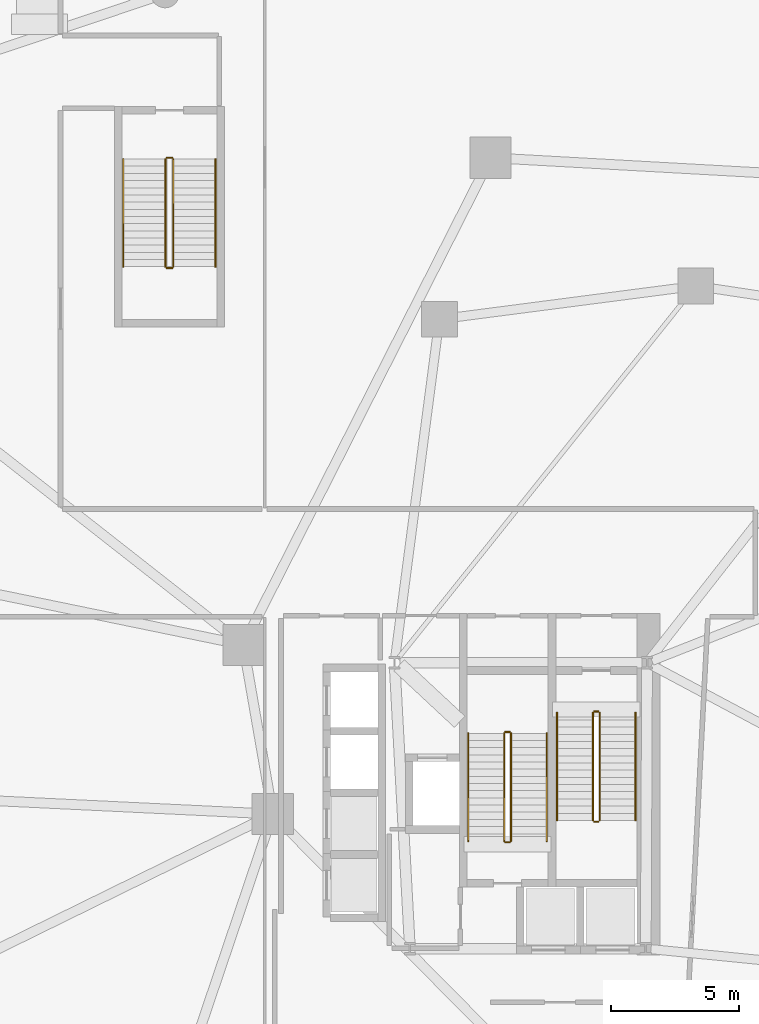
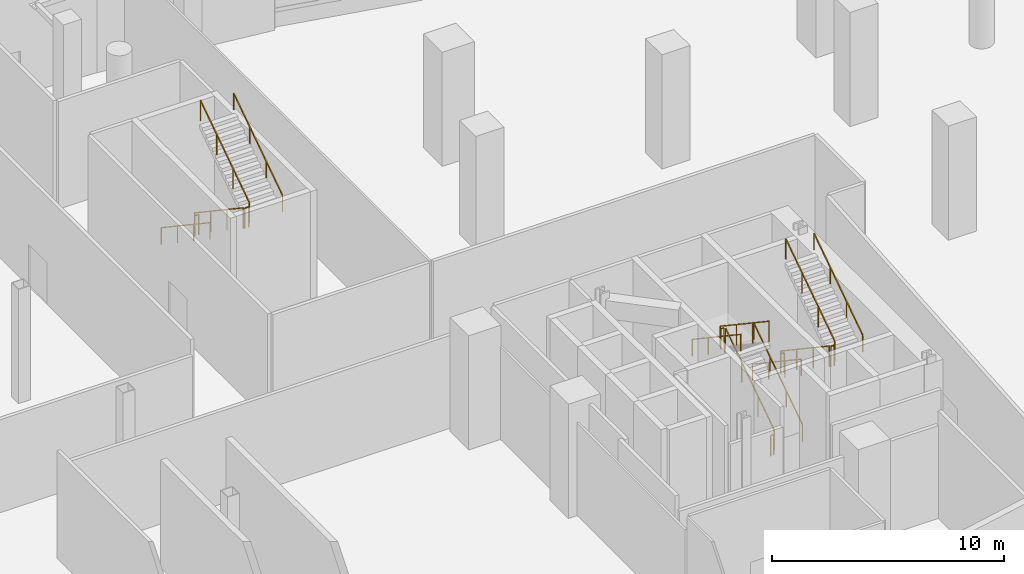
# One storey, part 19 of 20: 18 railings.
"""IFC4 building model written with IfcOpenShell, lengths in metres."""

from ifc_helpers import new_model, si_unit, direction, frame, origin, origin_2d, place, context, subcontext, project, spatial, rectangle, extrude, material, type_object, element, save


model = new_model("IFC4")

# Units and contexts
model_context = context("Model", 3, precision=1e-05, world=origin(), true_north=direction((0.0, 1.0)))
body_context = subcontext(model_context, "Body", "Model", "MODEL_VIEW")
ifc_project = project(units=[si_unit("LENGTHUNIT", "METRE"), si_unit("AREAUNIT", "SQUARE_METRE"), si_unit("VOLUMEUNIT", "CUBIC_METRE"), si_unit("PLANEANGLEUNIT", "RADIAN"), si_unit("MASSUNIT", "GRAM", prefix="KILO"), si_unit("THERMODYNAMICTEMPERATUREUNIT", "KELVIN"), si_unit("POWERUNIT", "WATT")], contexts=[model_context])

# Site, building, storey
site_placement = place(None, origin())
site = spatial("IfcSite", under=ifc_project, at=site_placement, CompositionType="ELEMENT")
building_placement = place(site_placement, origin())
building = spatial("IfcBuilding", under=site, at=building_placement, Name="Cundina Bronze Exchange", CompositionType="ELEMENT")
storey_placement = place(building_placement, origin())
storey = spatial("IfcBuildingStorey", under=building, at=storey_placement, Name="L00", CompositionType="ELEMENT", Elevation=0.0)

# Railings
ifc_material = material(Name="Steel ASTM A36 Painted", Category="steel")
railing_type_1 = type_object("IfcRailingType", Name="RLG-HND-900", PredefinedType="HANDRAIL", material=ifc_material)
railing_1_placement = place(storey_placement, frame((27.7900390625, -5.85009765625, 0.1875)))
element("IfcRailing", 1, at=railing_1_placement, inside=storey, type_object=railing_type_1, Name="L00 ST-E1 stair handrail 1", PredefinedType="HANDRAIL", context=body_context, shape_type="SweptSolid", body=[
    extrude(rectangle(XDim=0.048095703125, YDim=0.048095703125, at=origin_2d()), frame((0.0, 0.0, 0.8759765625), z_axis=(0.0, -0.830904186295, 0.556415522067), x_axis=(1.0, 0.0, 0.0)), (0.0, 0.0, 1.0), 5.0546875),
    extrude(rectangle(XDim=0.0419921875, YDim=0.0419921875, at=origin_2d()), origin(), (0.0, 0.0, 1.0), 0.851806640625),
    extrude(rectangle(XDim=0.0419921875, YDim=0.0419921875, at=origin_2d()), frame((0.0, -1.39990234375, 0.9375)), (0.0, 0.0, 1.0), 0.851806640625),
    extrude(rectangle(XDim=0.0419921875, YDim=0.0419921875, at=origin_2d()), frame((0.0, -2.800048828125, 1.875)), (0.0, 0.0, 1.0), 0.851806640625),
    extrude(rectangle(XDim=0.0419921875, YDim=0.0419921875, at=origin_2d()), frame((0.0, -4.199951171875, 2.8125)), (0.0, 0.0, 1.0), 0.851806640625),
])
railing_2_placement = place(storey_placement, frame((30.85009765625, -10.050048828125, 3.1875)))
element("IfcRailing", 2, at=railing_2_placement, inside=storey, type_object=railing_type_1, Name="L00 ST-E1 stair handrail 2", PredefinedType="HANDRAIL", context=body_context, shape_type="SweptSolid", body=[
    extrude(rectangle(XDim=0.048095703125, YDim=0.048095703125, at=origin_2d()), frame((0.0, 0.0, 0.8759765625), z_axis=(0.0, 0.830904186295, 0.556415522067), x_axis=(-1.0, 0.0, 0.0)), (0.0, 0.0, 1.0), 5.0546875),
    extrude(rectangle(XDim=0.0419921875, YDim=0.0419921875, at=origin_2d()), origin(), (0.0, 0.0, 1.0), 0.851806640625),
    extrude(rectangle(XDim=0.0419921875, YDim=0.0419921875, at=origin_2d()), frame((0.0, 1.39990234375, 0.9375)), (0.0, 0.0, 1.0), 0.851806640625),
    extrude(rectangle(XDim=0.0419921875, YDim=0.0419921875, at=origin_2d()), frame((0.0, 2.800048828125, 1.875)), (0.0, 0.0, 1.0), 0.851806640625),
    extrude(rectangle(XDim=0.0419921875, YDim=0.0419921875, at=origin_2d()), frame((0.0, 4.199951171875, 2.8125)), (0.0, 0.0, 1.0), 0.851806640625),
])
railing_3_placement = place(storey_placement, frame((27.389892578125, -10.85009765625, 0.1875)))
element("IfcRailing", 3, at=railing_3_placement, inside=storey, type_object=railing_type_1, Name="L00 ST-E2 stair handrail 1", PredefinedType="HANDRAIL", context=body_context, shape_type="SweptSolid", body=[
    extrude(rectangle(XDim=0.048095703125, YDim=0.048095703125, at=origin_2d()), frame((0.0, 0.0, 0.8759765625), z_axis=(0.0, 0.830919138977, 0.55639319234), x_axis=(-1.0, 0.0, 0.0)), (0.0, 0.0, 1.0), 5.054931640625),
    extrude(rectangle(XDim=0.0419921875, YDim=0.0419921875, at=origin_2d()), origin(), (0.0, 0.0, 1.0), 0.851806640625),
    extrude(rectangle(XDim=0.0419921875, YDim=0.0419921875, at=origin_2d()), frame((0.0, 1.400146484375, 0.9375)), (0.0, 0.0, 1.0), 0.851806640625),
    extrude(rectangle(XDim=0.0419921875, YDim=0.0419921875, at=origin_2d()), frame((0.0, 2.800048828125, 1.875)), (0.0, 0.0, 1.0), 0.851806640625),
    extrude(rectangle(XDim=0.0419921875, YDim=0.0419921875, at=origin_2d()), frame((0.0, 4.2001953125, 2.8125)), (0.0, 0.0, 1.0), 0.851806640625),
])
railing_4_placement = place(storey_placement, frame((24.330078125, -6.64990234375, 3.1875)))
element("IfcRailing", 4, at=railing_4_placement, inside=storey, type_object=railing_type_1, Name="L00 ST-E2 stair handrail 2", PredefinedType="HANDRAIL", context=body_context, shape_type="SweptSolid", body=[
    extrude(rectangle(XDim=0.048095703125, YDim=0.048095703125, at=origin_2d()), frame((0.0, 0.0, 0.8759765625), z_axis=(0.0, -0.830919138977, 0.55639319234), x_axis=(1.0, 0.0, 0.0)), (0.0, 0.0, 1.0), 5.054931640625),
    extrude(rectangle(XDim=0.0419921875, YDim=0.0419921875, at=origin_2d()), origin(), (0.0, 0.0, 1.0), 0.851806640625),
    extrude(rectangle(XDim=0.0419921875, YDim=0.0419921875, at=origin_2d()), frame((0.0, -1.400146484375, 0.9375)), (0.0, 0.0, 1.0), 0.851806640625),
    extrude(rectangle(XDim=0.0419921875, YDim=0.0419921875, at=origin_2d()), frame((0.0, -2.800048828125, 1.875)), (0.0, 0.0, 1.0), 0.851806640625),
    extrude(rectangle(XDim=0.0419921875, YDim=0.0419921875, at=origin_2d()), frame((0.0, -4.2001953125, 2.8125)), (0.0, 0.0, 1.0), 0.851806640625),
])
railing_5_placement = place(storey_placement, frame((10.8701171875, 15.75, 0.1875)))
element("IfcRailing", 5, at=railing_5_placement, inside=storey, type_object=railing_type_1, Name="L00 ST-PE stair handrail 1", PredefinedType="HANDRAIL", context=body_context, shape_type="SweptSolid", body=[
    extrude(rectangle(XDim=0.048095703125, YDim=0.048095703125, at=origin_2d()), frame((0.0, 0.0, 0.8759765625), z_axis=(0.0, -0.830904186295, 0.556415522067), x_axis=(1.0, 0.0, 0.0)), (0.0, 0.0, 1.0), 5.0546875),
    extrude(rectangle(XDim=0.0419921875, YDim=0.0419921875, at=origin_2d()), origin(), (0.0, 0.0, 1.0), 0.851806640625),
    extrude(rectangle(XDim=0.0419921875, YDim=0.0419921875, at=origin_2d()), frame((0.0, -1.39990234375, 0.9375)), (0.0, 0.0, 1.0), 0.851806640625),
    extrude(rectangle(XDim=0.0419921875, YDim=0.0419921875, at=origin_2d()), frame((0.0, -2.800048828125, 1.875)), (0.0, 0.0, 1.0), 0.851806640625),
    extrude(rectangle(XDim=0.0419921875, YDim=0.0419921875, at=origin_2d()), frame((0.0, -4.199951171875, 2.8125)), (0.0, 0.0, 1.0), 0.851806640625),
])
railing_6_placement = place(storey_placement, frame((14.469970703125, 11.550048828125, 3.1875)))
element("IfcRailing", 6, at=railing_6_placement, inside=storey, type_object=railing_type_1, Name="L00 ST-PE stair handrail 2", PredefinedType="HANDRAIL", context=body_context, shape_type="SweptSolid", body=[
    extrude(rectangle(XDim=0.048095703125, YDim=0.048095703125, at=origin_2d()), frame((0.0, 0.0, 0.8759765625), z_axis=(0.0, 0.830904186295, 0.556415522067), x_axis=(-1.0, 0.0, 0.0)), (0.0, 0.0, 1.0), 5.0546875),
    extrude(rectangle(XDim=0.0419921875, YDim=0.0419921875, at=origin_2d()), origin(), (0.0, 0.0, 1.0), 0.851806640625),
    extrude(rectangle(XDim=0.0419921875, YDim=0.0419921875, at=origin_2d()), frame((0.0, 1.39990234375, 0.9375)), (0.0, 0.0, 1.0), 0.851806640625),
    extrude(rectangle(XDim=0.0419921875, YDim=0.0419921875, at=origin_2d()), frame((0.0, 2.800048828125, 1.875)), (0.0, 0.0, 1.0), 0.851806640625),
    extrude(rectangle(XDim=0.0419921875, YDim=0.0419921875, at=origin_2d()), frame((0.0, 4.199951171875, 2.8125)), (0.0, 0.0, 1.0), 0.851806640625),
])
railing_type_2 = type_object("IfcRailingType", Name="RLG-STG-1100", PredefinedType="GUARDRAIL", material=ifc_material)
railing_7_placement = place(storey_placement, frame((29.18994140625, -5.85009765625, 0.1875)))
element("IfcRailing", 7, at=railing_7_placement, inside=storey, type_object=railing_type_2, Name="L00 ST-E1 stair guard 1", PredefinedType="GUARDRAIL", context=body_context, shape_type="SweptSolid", body=[
    extrude(rectangle(XDim=0.048095703125, YDim=0.048095703125, at=origin_2d()), frame((0.0, 0.0, 1.076171875), z_axis=(0.0, -0.830904186295, 0.556415522067), x_axis=(1.0, 0.0, 0.0)), (0.0, 0.0, 1.0), 5.0546875),
    extrude(rectangle(XDim=0.0419921875, YDim=0.0419921875, at=origin_2d()), origin(), (0.0, 0.0, 1.0), 1.052001953125),
    extrude(rectangle(XDim=0.0419921875, YDim=0.0419921875, at=origin_2d()), frame((0.0, -1.39990234375, 0.9375)), (0.0, 0.0, 1.0), 1.052001953125),
    extrude(rectangle(XDim=0.0419921875, YDim=0.0419921875, at=origin_2d()), frame((0.0, -2.800048828125, 1.875)), (0.0, 0.0, 1.0), 1.052001953125),
    extrude(rectangle(XDim=0.0419921875, YDim=0.0419921875, at=origin_2d()), frame((0.0, -4.199951171875, 2.8125)), (0.0, 0.0, 1.0), 1.052001953125),
])
railing_8_placement = place(storey_placement, frame((29.239990234375, -10.10009765625, 3.0)))
element("IfcRailing", 8, at=railing_8_placement, inside=storey, type_object=railing_type_2, Name="L00 ST-E1 stair guard 2", PredefinedType="GUARDRAIL", context=body_context, shape_type="SweptSolid", body=[
    extrude(rectangle(XDim=0.048095703125, YDim=0.048095703125, at=origin_2d()), frame((0.0, 0.0, 1.076171875), z_axis=(1.0, 0.0, 0.0), x_axis=(0.0, 1.0, 0.0)), (0.0, 0.0, 1.0), 0.159912109375),
    extrude(rectangle(XDim=0.0419921875, YDim=0.0419921875, at=origin_2d()), origin(), (0.0, 0.0, 1.0), 1.052001953125),
    extrude(rectangle(XDim=0.0419921875, YDim=0.0419921875, at=origin_2d()), frame((0.159912109375, 0.0, 0.0)), (0.0, 0.0, 1.0), 1.052001953125),
])
railing_9_placement = place(storey_placement, frame((29.449951171875, -10.050048828125, 3.1875)))
element("IfcRailing", 9, at=railing_9_placement, inside=storey, type_object=railing_type_2, Name="L00 ST-E1 stair guard 3", PredefinedType="GUARDRAIL", context=body_context, shape_type="SweptSolid", body=[
    extrude(rectangle(XDim=0.048095703125, YDim=0.048095703125, at=origin_2d()), frame((0.0, 0.0, 1.076171875), z_axis=(0.0, 0.830904186295, 0.556415522067), x_axis=(-1.0, 0.0, 0.0)), (0.0, 0.0, 1.0), 5.0546875),
    extrude(rectangle(XDim=0.0419921875, YDim=0.0419921875, at=origin_2d()), origin(), (0.0, 0.0, 1.0), 1.052001953125),
    extrude(rectangle(XDim=0.0419921875, YDim=0.0419921875, at=origin_2d()), frame((0.0, 1.39990234375, 0.9375)), (0.0, 0.0, 1.0), 1.052001953125),
    extrude(rectangle(XDim=0.0419921875, YDim=0.0419921875, at=origin_2d()), frame((0.0, 2.800048828125, 1.875)), (0.0, 0.0, 1.0), 1.052001953125),
    extrude(rectangle(XDim=0.0419921875, YDim=0.0419921875, at=origin_2d()), frame((0.0, 4.199951171875, 2.8125)), (0.0, 0.0, 1.0), 1.052001953125),
])
railing_10_placement = place(storey_placement, frame((29.239990234375, -5.800048828125, 0.0)))
element("IfcRailing", 10, at=railing_10_placement, inside=storey, type_object=railing_type_2, Name="L00 ST-E1 stair guard 4", PredefinedType="GUARDRAIL", context=body_context, shape_type="SweptSolid", body=[
    extrude(rectangle(XDim=0.048095703125, YDim=0.048095703125, at=origin_2d()), frame((0.0, 0.0, 1.076171875), z_axis=(1.0, 0.0, 0.0), x_axis=(0.0, 1.0, 0.0)), (0.0, 0.0, 1.0), 0.159912109375),
    extrude(rectangle(XDim=0.0419921875, YDim=0.0419921875, at=origin_2d()), origin(), (0.0, 0.0, 1.0), 1.052001953125),
    extrude(rectangle(XDim=0.0419921875, YDim=0.0419921875, at=origin_2d()), frame((0.159912109375, 0.0, 0.0)), (0.0, 0.0, 1.0), 1.052001953125),
])
railing_11_placement = place(storey_placement, frame((25.989990234375, -10.85009765625, 0.1875)))
element("IfcRailing", 11, at=railing_11_placement, inside=storey, type_object=railing_type_2, Name="L00 ST-E2 stair guard 1", PredefinedType="GUARDRAIL", context=body_context, shape_type="SweptSolid", body=[
    extrude(rectangle(XDim=0.048095703125, YDim=0.048095703125, at=origin_2d()), frame((0.0, 0.0, 1.076171875), z_axis=(0.0, 0.830919138977, 0.55639319234), x_axis=(-1.0, 0.0, 0.0)), (0.0, 0.0, 1.0), 5.054931640625),
    extrude(rectangle(XDim=0.0419921875, YDim=0.0419921875, at=origin_2d()), origin(), (0.0, 0.0, 1.0), 1.052001953125),
    extrude(rectangle(XDim=0.0419921875, YDim=0.0419921875, at=origin_2d()), frame((0.0, 1.400146484375, 0.9375)), (0.0, 0.0, 1.0), 1.052001953125),
    extrude(rectangle(XDim=0.0419921875, YDim=0.0419921875, at=origin_2d()), frame((0.0, 2.800048828125, 1.875)), (0.0, 0.0, 1.0), 1.052001953125),
    extrude(rectangle(XDim=0.0419921875, YDim=0.0419921875, at=origin_2d()), frame((0.0, 4.2001953125, 2.8125)), (0.0, 0.0, 1.0), 1.052001953125),
])
railing_12_placement = place(storey_placement, frame((25.93994140625, -6.60009765625, 3.0)))
element("IfcRailing", 12, at=railing_12_placement, inside=storey, type_object=railing_type_2, Name="L00 ST-E2 stair guard 2", PredefinedType="GUARDRAIL", context=body_context, shape_type="SweptSolid", body=[
    extrude(rectangle(XDim=0.048095703125, YDim=0.048095703125, at=origin_2d()), frame((0.0, 0.0, 1.076171875), z_axis=(-1.0, 0.0, 0.0), x_axis=(0.0, -1.0, 0.0)), (0.0, 0.0, 1.0), 0.159912109375),
    extrude(rectangle(XDim=0.0419921875, YDim=0.0419921875, at=origin_2d()), origin(), (0.0, 0.0, 1.0), 1.052001953125),
    extrude(rectangle(XDim=0.0419921875, YDim=0.0419921875, at=origin_2d()), frame((-0.159912109375, 0.0, 0.0)), (0.0, 0.0, 1.0), 1.052001953125),
])
railing_13_placement = place(storey_placement, frame((25.72998046875, -6.64990234375, 3.1875)))
element("IfcRailing", 13, at=railing_13_placement, inside=storey, type_object=railing_type_2, Name="L00 ST-E2 stair guard 3", PredefinedType="GUARDRAIL", context=body_context, shape_type="SweptSolid", body=[
    extrude(rectangle(XDim=0.048095703125, YDim=0.048095703125, at=origin_2d()), frame((0.0, 0.0, 1.076171875), z_axis=(0.0, -0.830919138977, 0.55639319234), x_axis=(1.0, 0.0, 0.0)), (0.0, 0.0, 1.0), 5.054931640625),
    extrude(rectangle(XDim=0.0419921875, YDim=0.0419921875, at=origin_2d()), origin(), (0.0, 0.0, 1.0), 1.052001953125),
    extrude(rectangle(XDim=0.0419921875, YDim=0.0419921875, at=origin_2d()), frame((0.0, -1.400146484375, 0.9375)), (0.0, 0.0, 1.0), 1.052001953125),
    extrude(rectangle(XDim=0.0419921875, YDim=0.0419921875, at=origin_2d()), frame((0.0, -2.800048828125, 1.875)), (0.0, 0.0, 1.0), 1.052001953125),
    extrude(rectangle(XDim=0.0419921875, YDim=0.0419921875, at=origin_2d()), frame((0.0, -4.2001953125, 2.8125)), (0.0, 0.0, 1.0), 1.052001953125),
])
railing_14_placement = place(storey_placement, frame((25.93994140625, -10.89990234375, 0.0)))
element("IfcRailing", 14, at=railing_14_placement, inside=storey, type_object=railing_type_2, Name="L00 ST-E2 stair guard 4", PredefinedType="GUARDRAIL", context=body_context, shape_type="SweptSolid", body=[
    extrude(rectangle(XDim=0.048095703125, YDim=0.048095703125, at=origin_2d()), frame((0.0, 0.0, 1.076171875), z_axis=(-1.0, 0.0, 0.0), x_axis=(0.0, -1.0, 0.0)), (0.0, 0.0, 1.0), 0.159912109375),
    extrude(rectangle(XDim=0.0419921875, YDim=0.0419921875, at=origin_2d()), origin(), (0.0, 0.0, 1.0), 1.052001953125),
    extrude(rectangle(XDim=0.0419921875, YDim=0.0419921875, at=origin_2d()), frame((-0.159912109375, 0.0, 0.0)), (0.0, 0.0, 1.0), 1.052001953125),
])
railing_15_placement = place(storey_placement, frame((12.52001953125, 15.75, 0.1875)))
element("IfcRailing", 15, at=railing_15_placement, inside=storey, type_object=railing_type_2, Name="L00 ST-PE stair guard 1", PredefinedType="GUARDRAIL", context=body_context, shape_type="SweptSolid", body=[
    extrude(rectangle(XDim=0.048095703125, YDim=0.048095703125, at=origin_2d()), frame((0.0, 0.0, 1.076171875), z_axis=(0.0, -0.830904186295, 0.556415522067), x_axis=(1.0, 0.0, 0.0)), (0.0, 0.0, 1.0), 5.0546875),
    extrude(rectangle(XDim=0.0419921875, YDim=0.0419921875, at=origin_2d()), origin(), (0.0, 0.0, 1.0), 1.052001953125),
    extrude(rectangle(XDim=0.0419921875, YDim=0.0419921875, at=origin_2d()), frame((0.0, -1.39990234375, 0.9375)), (0.0, 0.0, 1.0), 1.052001953125),
    extrude(rectangle(XDim=0.0419921875, YDim=0.0419921875, at=origin_2d()), frame((0.0, -2.800048828125, 1.875)), (0.0, 0.0, 1.0), 1.052001953125),
    extrude(rectangle(XDim=0.0419921875, YDim=0.0419921875, at=origin_2d()), frame((0.0, -4.199951171875, 2.8125)), (0.0, 0.0, 1.0), 1.052001953125),
])
railing_16_placement = place(storey_placement, frame((12.570068359375, 11.5, 3.0)))
element("IfcRailing", 16, at=railing_16_placement, inside=storey, type_object=railing_type_2, Name="L00 ST-PE stair guard 2", PredefinedType="GUARDRAIL", context=body_context, shape_type="SweptSolid", body=[
    extrude(rectangle(XDim=0.048095703125, YDim=0.048095703125, at=origin_2d()), frame((0.0, 0.0, 1.076171875), z_axis=(1.0, 0.0, 0.0), x_axis=(0.0, 1.0, 0.0)), (0.0, 0.0, 1.0), 0.199951171875),
    extrude(rectangle(XDim=0.0419921875, YDim=0.0419921875, at=origin_2d()), origin(), (0.0, 0.0, 1.0), 1.052001953125),
    extrude(rectangle(XDim=0.0419921875, YDim=0.0419921875, at=origin_2d()), frame((0.199951171875, 0.0, 0.0)), (0.0, 0.0, 1.0), 1.052001953125),
])
railing_17_placement = place(storey_placement, frame((12.820068359375, 11.550048828125, 3.1875)))
element("IfcRailing", 17, at=railing_17_placement, inside=storey, type_object=railing_type_2, Name="L00 ST-PE stair guard 3", PredefinedType="GUARDRAIL", context=body_context, shape_type="SweptSolid", body=[
    extrude(rectangle(XDim=0.048095703125, YDim=0.048095703125, at=origin_2d()), frame((0.0, 0.0, 1.076171875), z_axis=(0.0, 0.830904186295, 0.556415522067), x_axis=(-1.0, 0.0, 0.0)), (0.0, 0.0, 1.0), 5.0546875),
    extrude(rectangle(XDim=0.0419921875, YDim=0.0419921875, at=origin_2d()), origin(), (0.0, 0.0, 1.0), 1.052001953125),
    extrude(rectangle(XDim=0.0419921875, YDim=0.0419921875, at=origin_2d()), frame((0.0, 1.39990234375, 0.9375)), (0.0, 0.0, 1.0), 1.052001953125),
    extrude(rectangle(XDim=0.0419921875, YDim=0.0419921875, at=origin_2d()), frame((0.0, 2.800048828125, 1.875)), (0.0, 0.0, 1.0), 1.052001953125),
    extrude(rectangle(XDim=0.0419921875, YDim=0.0419921875, at=origin_2d()), frame((0.0, 4.199951171875, 2.8125)), (0.0, 0.0, 1.0), 1.052001953125),
])
railing_18_placement = place(storey_placement, frame((12.570068359375, 15.800048828125, 0.0)))
element("IfcRailing", 18, at=railing_18_placement, inside=storey, type_object=railing_type_2, Name="L00 ST-PE stair guard 4", PredefinedType="GUARDRAIL", context=body_context, shape_type="SweptSolid", body=[
    extrude(rectangle(XDim=0.048095703125, YDim=0.048095703125, at=origin_2d()), frame((0.0, 0.0, 1.076171875), z_axis=(1.0, 0.0, 0.0), x_axis=(0.0, 1.0, 0.0)), (0.0, 0.0, 1.0), 0.199951171875),
    extrude(rectangle(XDim=0.0419921875, YDim=0.0419921875, at=origin_2d()), origin(), (0.0, 0.0, 1.0), 1.052001953125),
    extrude(rectangle(XDim=0.0419921875, YDim=0.0419921875, at=origin_2d()), frame((0.199951171875, 0.0, 0.0)), (0.0, 0.0, 1.0), 1.052001953125),
])

save(model, "model.ifc")
